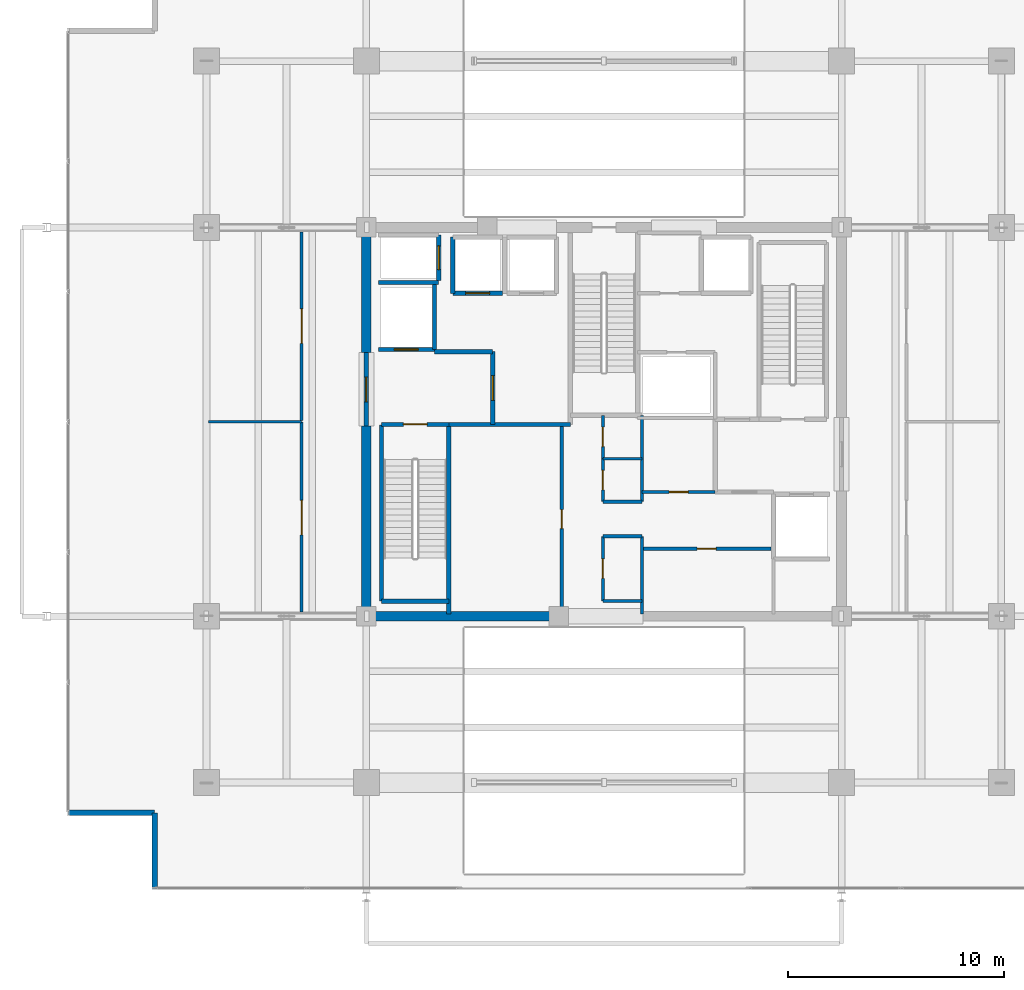
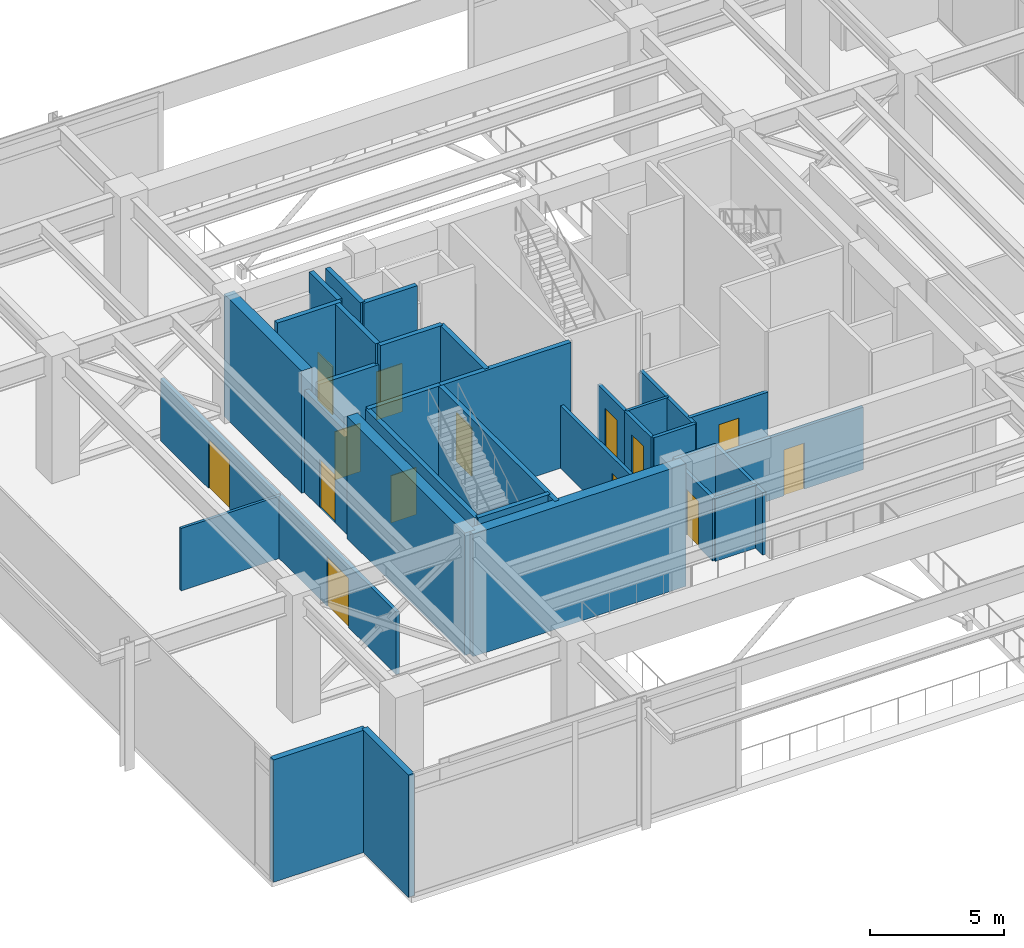
# One storey, part 22 of 26: 34 walls, 14 doors, 14 openings.
"""IFC4 building model written with IfcOpenShell, lengths in metres."""

from ifc_helpers import new_model, si_unit, direction, frame, frame_2d, origin, place, context, subcontext, project, spatial, rectangle, extrude, material, layer, layer_set, type_object, element, fill, save


model = new_model("IFC4")

# Units and contexts
model_context = context("Model", 3, precision=1e-05, world=origin(), true_north=direction((0.0, 1.0)))
body_context = subcontext(model_context, "Body", "Model", "MODEL_VIEW")
ifc_project = project(units=[si_unit("LENGTHUNIT", "METRE"), si_unit("AREAUNIT", "SQUARE_METRE"), si_unit("VOLUMEUNIT", "CUBIC_METRE"), si_unit("PLANEANGLEUNIT", "RADIAN"), si_unit("MASSUNIT", "GRAM", prefix="KILO")], contexts=[model_context])

# Site, building, storey
site_placement = place(None, origin())
site = spatial("IfcSite", under=ifc_project, at=site_placement, CompositionType="ELEMENT")
building_placement = place(site_placement, origin())
building = spatial("IfcBuilding", under=site, at=building_placement, Name="Kovane Verandah Tower", CompositionType="ELEMENT")
storey_placement = place(building_placement, frame((0.0, 0.0, 301.0)))
storey = spatial("IfcBuildingStorey", under=building, at=storey_placement, Name="L70", CompositionType="ELEMENT", Elevation=301.0)

# Walls
ifc_material_1 = material(Name="Fire-Rated Gypsum Stud Partition", Category="gypsum")
ifc_layer_1 = layer(ifc_material_1, 0.14990234375)
ifc_layer_set_1 = layer_set([ifc_layer_1], Name="Fire-Rated Gypsum Stud Partition")
wall_type_1 = type_object("IfcWallType", Name="WL-COR-150", PredefinedType="PARTITIONING", material=ifc_layer_set_1)
for number, where, z_axis, x_axis, name in (
    (1, (39.949951171875, 19.199951171875, 0.0), (0.0, 0.0, 1.0), (1.0, 0.0, 0.0), "L70 Central Core Strip South Wall"),
    (2, (39.949951171875, 22.199951171875, 0.0), (0.0, 0.0, 1.0), (1.0, 0.0, 0.0), "L70 Core Cross-Passage South Wall"),
    (3, (39.949951171875, 23.800048828125, 0.0), (0.0, 0.0, 1.0), (1.0, 0.0, 0.0), "L70 Core Cross-Passage North Wall"),
):
    element("IfcWall", number, at=place(storey_placement, frame(where, z_axis=z_axis, x_axis=x_axis)), inside=storey, type_object=wall_type_1, Name=name, PredefinedType="PARTITIONING", context=body_context, shape_type="SweptSolid", body=[
        extrude(rectangle(XDim=1.81005859375, YDim=0.14990234375, at=frame_2d((0.905029296875, 0.0))), origin(), (0.0, 0.0, 1.0), 2.85009765625),
    ])
wall_1_placement = place(storey_placement, frame((41.760009765625, 18.60009765625, 0.0), z_axis=(0.0, 0.0, 1.0), x_axis=(0.0, 1.0, 0.0)))
element("IfcWall", 4, at=wall_1_placement, inside=storey, type_object=wall_type_1, Name="L70 Central Core Strip Lower East Wall", PredefinedType="PARTITIONING", context=body_context, shape_type="SweptSolid", body=[
    extrude(rectangle(XDim=3.599853515625, YDim=0.14990234375, at=frame_2d((1.7998046875, 0.0))), origin(), (0.0, 0.0, 1.0), 2.85009765625),
])
wall_2_placement = place(storey_placement, frame((41.760009765625, 23.800048828125, 0.0), z_axis=(0.0, 0.0, 1.0), x_axis=(0.0, 1.0, 0.0)))
element("IfcWall", 5, at=wall_2_placement, inside=storey, type_object=wall_type_1, Name="L70 Central Core Strip Upper East Wall", PredefinedType="PARTITIONING", context=body_context, shape_type="SweptSolid", body=[
    extrude(rectangle(XDim=4.0, YDim=0.14990234375, at=frame_2d((2.0, 0.0))), origin(), (0.0, 0.0, 1.0), 2.85009765625),
])

# Wall, opening, door
wall_3_placement = place(storey_placement, frame((39.949951171875, 19.199951171875, 0.0), z_axis=(0.0, 0.0, 1.0), x_axis=(0.0, 1.0, 0.0)))
wall_3 = element("IfcWall", 6, at=wall_3_placement, inside=storey, type_object=wall_type_1, Name="L70 Male Toilet Partition", PredefinedType="PARTITIONING", context=body_context, shape_type="SweptSolid", body=[
    extrude(rectangle(XDim=3.0, YDim=0.14990234375, at=frame_2d((1.5, 0.0))), origin(), (0.0, 0.0, 1.0), 2.85009765625),
])
opening_1_placement = place(wall_3_placement, frame((1.050048828125, 0.0, 0.0)))
opening_1 = element("IfcOpeningElement", 7, at=opening_1_placement, cuts=wall_3, Name="Opening DR-L70-020", PredefinedType="OPENING", context=body_context, shape_type="SweptSolid", body=[
    extrude(rectangle(XDim=0.89990234375, YDim=2.10009765625, at=frame_2d((0.449951171875, 1.050048828125))), frame((0.0, 0.074951171875, 0.0), z_axis=(0.0, -1.0, 0.0), x_axis=(1.0, 0.0, 0.0)), (0.0, 0.0, 1.0), 0.14990234375),
])
ifc_material_2 = material(Name="Moisture-Resistant Laminate Washroom Door", Category="wood")
door_type_1 = type_object("IfcDoorType", Name="DR-WC-900", OperationType="SINGLE_SWING_LEFT", PredefinedType="DOOR", material=ifc_material_2)
door_1_placement = place(opening_1_placement, origin())
door_1 = element("IfcDoor", 8, at=door_1_placement, inside=storey, type_object=door_type_1, Name="L70 Male Toilet Door", OperationType="SINGLE_SWING_LEFT", OverallHeight=2.10009765625, OverallWidth=0.89990234375, PredefinedType="DOOR", context=body_context, shape_type="SweptSolid", body=[
    extrude(rectangle(XDim=0.89990234375, YDim=2.10009765625, at=frame_2d((0.449951171875, 1.050048828125))), frame((0.0, 0.02490234375, 0.0), z_axis=(0.0, -1.0, 0.0), x_axis=(1.0, 0.0, 0.0)), (0.0, 0.0, 1.0), 0.050048828125),
])
fill(opening_1, door_1)

wall_4_placement = place(storey_placement, frame((39.949951171875, 23.800048828125, 0.0), z_axis=(0.0, 0.0, 1.0), x_axis=(0.0, 1.0, 0.0)))
wall_4 = element("IfcWall", 9, at=wall_4_placement, inside=storey, type_object=wall_type_1, Name="L70 Female Toilet Partition", PredefinedType="PARTITIONING", context=body_context, shape_type="SweptSolid", body=[
    extrude(rectangle(XDim=2.0, YDim=0.14990234375, at=frame_2d((1.0, 0.0))), origin(), (0.0, 0.0, 1.0), 2.85009765625),
])
opening_2_placement = place(wall_4_placement, frame((0.550048828125, 0.0, 0.0)))
opening_2 = element("IfcOpeningElement", 10, at=opening_2_placement, cuts=wall_4, Name="Opening DR-L70-019", PredefinedType="OPENING", context=body_context, shape_type="SweptSolid", body=[
    extrude(rectangle(XDim=0.89990234375, YDim=2.10009765625, at=frame_2d((0.449951171875, 1.050048828125))), frame((0.0, 0.074951171875, 0.0), z_axis=(0.0, -1.0, 0.0), x_axis=(1.0, 0.0, 0.0)), (0.0, 0.0, 1.0), 0.14990234375),
])
door_2_placement = place(opening_2_placement, origin())
door_2 = element("IfcDoor", 11, at=door_2_placement, inside=storey, type_object=door_type_1, Name="L70 Female Toilet Door", OperationType="SINGLE_SWING_RIGHT", OverallHeight=2.10009765625, OverallWidth=0.89990234375, PredefinedType="DOOR", context=body_context, shape_type="SweptSolid", body=[
    extrude(rectangle(XDim=0.89990234375, YDim=2.10009765625, at=frame_2d((0.449951171875, 1.050048828125))), frame((0.0, 0.02490234375, 0.0), z_axis=(0.0, -1.0, 0.0), x_axis=(1.0, 0.0, 0.0)), (0.0, 0.0, 1.0), 0.050048828125),
])
fill(opening_2, door_2)

wall_5_placement = place(storey_placement, frame((39.949951171875, 25.800048828125, 0.0), z_axis=(0.0, 0.0, 1.0), x_axis=(0.0, 1.0, 0.0)))
wall_5 = element("IfcWall", 12, at=wall_5_placement, inside=storey, type_object=wall_type_1, Name="L70 Accessible Unisex Toilet Partition", PredefinedType="PARTITIONING", context=body_context, shape_type="SweptSolid", body=[
    extrude(rectangle(XDim=2.0, YDim=0.14990234375, at=frame_2d((1.0, 0.0))), origin(), (0.0, 0.0, 1.0), 2.85009765625),
])
opening_3_placement = place(wall_5_placement, frame((0.550048828125, 0.0, 0.0)))
opening_3 = element("IfcOpeningElement", 13, at=opening_3_placement, cuts=wall_5, Name="Opening DR-L70-018", PredefinedType="OPENING", context=body_context, shape_type="SweptSolid", body=[
    extrude(rectangle(XDim=0.89990234375, YDim=2.10009765625, at=frame_2d((0.449951171875, 1.050048828125))), frame((0.0, 0.074951171875, 0.0), z_axis=(0.0, -1.0, 0.0), x_axis=(1.0, 0.0, 0.0)), (0.0, 0.0, 1.0), 0.14990234375),
])
door_3_placement = place(opening_3_placement, origin())
door_3 = element("IfcDoor", 14, at=door_3_placement, inside=storey, type_object=door_type_1, Name="L70 Accessible Unisex Toilet Door", OperationType="SINGLE_SWING_LEFT", OverallHeight=2.10009765625, OverallWidth=0.89990234375, PredefinedType="DOOR", context=body_context, shape_type="SweptSolid", body=[
    extrude(rectangle(XDim=0.89990234375, YDim=2.10009765625, at=frame_2d((0.449951171875, 1.050048828125))), frame((0.0, 0.02490234375, 0.0), z_axis=(0.0, -1.0, 0.0), x_axis=(1.0, 0.0, 0.0)), (0.0, 0.0, 1.0), 0.050048828125),
])
fill(opening_3, door_3)

wall_6_placement = place(storey_placement, frame((38.050048828125, 18.60009765625, 0.0), z_axis=(0.0, 0.0, 1.0), x_axis=(0.0, 1.0, 0.0)))
wall_6 = element("IfcWall", 15, at=wall_6_placement, inside=storey, type_object=wall_type_1, Name="L70 Core Mechanical Fan Plant Room Partition", PredefinedType="PARTITIONING", context=body_context, shape_type="SweptSolid", body=[
    extrude(rectangle(XDim=8.77978515625, YDim=0.14990234375, at=frame_2d((4.389892578125, 0.0))), origin(), (0.0, 0.0, 1.0), 2.85009765625),
])
opening_4_placement = place(wall_6_placement, frame((3.949951171875, 0.0, 0.0)))
opening_4 = element("IfcOpeningElement", 16, at=opening_4_placement, cuts=wall_6, Name="Opening DR-L70-012", PredefinedType="OPENING", context=body_context, shape_type="SweptSolid", body=[
    extrude(rectangle(XDim=0.8798828125, YDim=2.10009765625, at=frame_2d((0.43994140625, 1.050048828125))), frame((0.0, 0.074951171875, 0.0), z_axis=(0.0, -1.0, 0.0), x_axis=(1.0, 0.0, 0.0)), (0.0, 0.0, 1.0), 0.14990234375),
])
ifc_material_3 = material(Name="Fire-Rated Steel Riser Access Door", Category="steel")
door_type_2 = type_object("IfcDoorType", Name="DR-RISER-880", OperationType="SINGLE_SWING_LEFT", PredefinedType="DOOR", material=ifc_material_3)
door_4_placement = place(opening_4_placement, origin())
door_4 = element("IfcDoor", 17, at=door_4_placement, inside=storey, type_object=door_type_2, Name="L70 Core Mechanical Fan Plant Room Door", OperationType="SINGLE_SWING_RIGHT", OverallHeight=2.10009765625, OverallWidth=0.8798828125, PredefinedType="DOOR", context=body_context, shape_type="SweptSolid", body=[
    extrude(rectangle(XDim=0.8798828125, YDim=2.10009765625, at=frame_2d((0.43994140625, 1.050048828125))), frame((0.0, 0.02490234375, 0.0), z_axis=(0.0, -1.0, 0.0), x_axis=(1.0, 0.0, 0.0)), (0.0, 0.0, 1.0), 0.050048828125),
])
fill(opening_4, door_4)

wall_7_placement = place(storey_placement, frame((41.760009765625, 21.6201171875, 0.0), z_axis=(0.0, 0.0, 1.0), x_axis=(1.0, 0.0, 0.0)))
wall_7 = element("IfcWall", 18, at=wall_7_placement, inside=storey, type_object=wall_type_1, Name="L70 Core Smoke Extract Fan Plant Room Partition", PredefinedType="PARTITIONING", context=body_context, shape_type="SweptSolid", body=[
    extrude(rectangle(XDim=5.97998046875, YDim=0.14990234375, at=frame_2d((2.989990234375, 0.0))), origin(), (0.0, 0.0, 1.0), 2.85009765625),
])
opening_5_placement = place(wall_7_placement, frame((2.550048828125, 0.0, 0.0)))
opening_5 = element("IfcOpeningElement", 19, at=opening_5_placement, cuts=wall_7, Name="Opening DR-L70-013", PredefinedType="OPENING", context=body_context, shape_type="SweptSolid", body=[
    extrude(rectangle(XDim=0.8798828125, YDim=2.10009765625, at=frame_2d((0.43994140625, 1.050048828125))), frame((0.0, 0.074951171875, 0.0), z_axis=(0.0, -1.0, 0.0), x_axis=(1.0, 0.0, 0.0)), (0.0, 0.0, 1.0), 0.14990234375),
])
door_5_placement = place(opening_5_placement, origin())
door_5 = element("IfcDoor", 20, at=door_5_placement, inside=storey, type_object=door_type_2, Name="L70 Core Smoke Extract Fan Plant Room Door", OperationType="SINGLE_SWING_LEFT", OverallHeight=2.10009765625, OverallWidth=0.8798828125, PredefinedType="DOOR", context=body_context, shape_type="SweptSolid", body=[
    extrude(rectangle(XDim=0.8798828125, YDim=2.10009765625, at=frame_2d((0.43994140625, 1.050048828125))), frame((0.0, 0.02490234375, 0.0), z_axis=(0.0, -1.0, 0.0), x_axis=(1.0, 0.0, 0.0)), (0.0, 0.0, 1.0), 0.050048828125),
])
fill(opening_5, door_5)

wall_8_placement = place(storey_placement, frame((41.760009765625, 24.25, 0.0), z_axis=(0.0, 0.0, 1.0), x_axis=(1.0, 0.0, 0.0)))
wall_8 = element("IfcWall", 21, at=wall_8_placement, inside=storey, type_object=wall_type_1, Name="L70 Cleaner Store Partition", PredefinedType="PARTITIONING", context=body_context, shape_type="SweptSolid", body=[
    extrude(rectangle(XDim=3.389892578125, YDim=0.14990234375, at=frame_2d((1.69482421875, 0.0))), origin(), (0.0, 0.0, 1.0), 2.85009765625),
])
opening_6_placement = place(wall_8_placement, frame((1.2548828125, 0.0, 0.0)))
opening_6 = element("IfcOpeningElement", 22, at=opening_6_placement, cuts=wall_8, Name="Opening DR-L70-014", PredefinedType="OPENING", context=body_context, shape_type="SweptSolid", body=[
    extrude(rectangle(XDim=0.8798828125, YDim=2.10009765625, at=frame_2d((0.43994140625, 1.050048828125))), frame((0.0, 0.074951171875, 0.0), z_axis=(0.0, -1.0, 0.0), x_axis=(1.0, 0.0, 0.0)), (0.0, 0.0, 1.0), 0.14990234375),
])
door_6_placement = place(opening_6_placement, origin())
door_6 = element("IfcDoor", 23, at=door_6_placement, inside=storey, type_object=door_type_2, Name="L70 Cleaner Store Door", OperationType="SINGLE_SWING_RIGHT", OverallHeight=2.10009765625, OverallWidth=0.8798828125, PredefinedType="DOOR", context=body_context, shape_type="SweptSolid", body=[
    extrude(rectangle(XDim=0.8798828125, YDim=2.10009765625, at=frame_2d((0.43994140625, 1.050048828125))), frame((0.0, 0.02490234375, 0.0), z_axis=(0.0, -1.0, 0.0), x_axis=(1.0, 0.0, 0.0)), (0.0, 0.0, 1.0), 0.050048828125),
])
fill(opening_6, door_6)

wall_9_placement = place(storey_placement, frame((26.0, 18.699951171875, 0.0), z_axis=(0.0, 0.0, 1.0), x_axis=(0.0, 1.0, 0.0)))
wall_9 = element("IfcWall", 24, at=wall_9_placement, inside=storey, type_object=wall_type_1, Name="L70 Wind-Portal Chiller Plant Room West Corridor Partition", PredefinedType="PARTITIONING", context=body_context, shape_type="SweptSolid", body=[
    extrude(rectangle(XDim=8.800048828125, YDim=0.14990234375, at=frame_2d((4.39990234375, 0.0))), origin(), (0.0, 0.0, 1.0), 2.85009765625),
])
opening_7_placement = place(wall_9_placement, frame((3.56494140625, 0.0, 0.0)))
opening_7 = element("IfcOpeningElement", 25, at=opening_7_placement, cuts=wall_9, Name="Opening DR-L70-017", PredefinedType="OPENING", context=body_context, shape_type="SweptSolid", body=[
    extrude(rectangle(XDim=1.60009765625, YDim=2.25, at=frame_2d((0.800048828125, 1.125))), frame((0.0, 0.074951171875, 0.0), z_axis=(0.0, -1.0, 0.0), x_axis=(1.0, 0.0, 0.0)), (0.0, 0.0, 1.0), 0.14990234375),
])
ifc_material_4 = material(Name="Louvred Acoustic Steel Double Plant Door", Category="steel")
door_type_3 = type_object("IfcDoorType", Name="DR-PLANT-1600", OperationType="DOUBLE_DOOR_SINGLE_SWING", PredefinedType="DOOR", material=ifc_material_4)
door_7_placement = place(opening_7_placement, origin())
door_7 = element("IfcDoor", 26, at=door_7_placement, inside=storey, type_object=door_type_3, Name="L70 Wind-Portal Chiller Plant Room West Entrance Door", OperationType="DOUBLE_DOOR_SINGLE_SWING", OverallHeight=2.25, OverallWidth=1.60009765625, PredefinedType="DOOR", context=body_context, shape_type="SweptSolid", body=[
    extrude(rectangle(XDim=1.60009765625, YDim=2.25, at=frame_2d((0.800048828125, 1.125))), frame((0.0, 0.02490234375, 0.0), z_axis=(0.0, -1.0, 0.0), x_axis=(1.0, 0.0, 0.0)), (0.0, 0.0, 1.0), 0.050048828125),
])
fill(opening_7, door_7)

wall_10_placement = place(storey_placement, frame((26.0, 27.570068359375, 0.0), z_axis=(0.0, 0.0, 1.0), x_axis=(0.0, 1.0, 0.0)))
wall_10 = element("IfcWall", 27, at=wall_10_placement, inside=storey, type_object=wall_type_1, Name="L70 Mechanical AHU Plant Room West Corridor Partition", PredefinedType="PARTITIONING", context=body_context, shape_type="SweptSolid", body=[
    extrude(rectangle(XDim=8.72998046875, YDim=0.14990234375, at=frame_2d((4.364990234375, 0.0))), origin(), (0.0, 0.0, 1.0), 2.85009765625),
])
opening_8_placement = place(wall_10_placement, frame((3.56494140625, 0.0, 0.0)))
opening_8 = element("IfcOpeningElement", 28, at=opening_8_placement, cuts=wall_10, Name="Opening DR-L70-010", PredefinedType="OPENING", context=body_context, shape_type="SweptSolid", body=[
    extrude(rectangle(XDim=1.60009765625, YDim=2.25, at=frame_2d((0.800048828125, 1.125))), frame((0.0, 0.074951171875, 0.0), z_axis=(0.0, -1.0, 0.0), x_axis=(1.0, 0.0, 0.0)), (0.0, 0.0, 1.0), 0.14990234375),
])
door_8_placement = place(opening_8_placement, origin())
door_8 = element("IfcDoor", 29, at=door_8_placement, inside=storey, type_object=door_type_3, Name="L70 Mechanical AHU Plant Room West Entrance Door", OperationType="DOUBLE_DOOR_SINGLE_SWING", OverallHeight=2.25, OverallWidth=1.60009765625, PredefinedType="DOOR", context=body_context, shape_type="SweptSolid", body=[
    extrude(rectangle(XDim=1.60009765625, YDim=2.25, at=frame_2d((0.800048828125, 1.125))), frame((0.0, 0.02490234375, 0.0), z_axis=(0.0, -1.0, 0.0), x_axis=(1.0, 0.0, 0.0)), (0.0, 0.0, 1.0), 0.050048828125),
])
fill(opening_8, door_8)

# Walls
ifc_material_5 = material(Name="Concrete C60/75", Category="concrete")
ifc_layer_2 = layer(ifc_material_5, 0.449951171875)
ifc_layer_set_2 = layer_set([ifc_layer_2], Name="Concrete C60/75")
wall_type_2 = type_object("IfcWallType", Name="WL-CORE-450", PredefinedType="SHEAR", material=ifc_layer_set_2)
wall_11_placement = place(storey_placement, frame((29.0, 18.5, 0.0), z_axis=(0.0, 0.0, 1.0), x_axis=(1.0, 0.0, 0.0)))
element("IfcWall", 30, at=wall_11_placement, inside=storey, type_object=wall_type_2, Name="L70 Core Shear Wall CS-1", PredefinedType="SHEAR", context=body_context, shape_type="SweptSolid", body=[
    extrude(rectangle(XDim=9.199951171875, YDim=0.449951171875, at=frame_2d((4.60009765625, 0.0))), origin(), (0.0, 0.0, 1.0), 5.5849609375),
])
wall_12_placement = place(storey_placement, frame((29.0, 18.5, 0.0), z_axis=(0.0, 0.0, 1.0), x_axis=(0.0, 1.0, 0.0)))
element("IfcWall", 31, at=wall_12_placement, inside=storey, type_object=wall_type_2, Name="L70 Core Shear Wall CW-1", PredefinedType="SHEAR", context=body_context, shape_type="SweptSolid", body=[
    extrude(rectangle(XDim=8.800048828125, YDim=0.449951171875, at=frame_2d((4.39990234375, 0.0))), origin(), (0.0, 0.0, 1.0), 5.5849609375),
])
wall_13_placement = place(storey_placement, frame((29.0, 30.699951171875, 0.0), z_axis=(0.0, 0.0, 1.0), x_axis=(0.0, 1.0, 0.0)))
element("IfcWall", 32, at=wall_13_placement, inside=storey, type_object=wall_type_2, Name="L70 Core Shear Wall CW-2", PredefinedType="SHEAR", context=body_context, shape_type="SweptSolid", body=[
    extrude(rectangle(XDim=5.800048828125, YDim=0.449951171875, at=frame_2d((2.89990234375, 0.0))), origin(), (0.0, 0.0, 1.0), 5.5849609375),
])

# Wall, opening, door
ifc_material_6 = material(Name="Concrete C45/55 Fire Wall", Category="concrete")
ifc_layer_3 = layer(ifc_material_6, 0.199951171875)
ifc_layer_set_3 = layer_set([ifc_layer_3], Name="Concrete C45/55 Fire Wall")
wall_type_3 = type_object("IfcWallType", Name="WL-FFL-200", PredefinedType="PARTITIONING", material=ifc_layer_set_3)
wall_14_placement = place(storey_placement, frame((34.85009765625, 27.3798828125, 0.0), z_axis=(0.0, 0.0, 1.0), x_axis=(0.0, 1.0, 0.0)))
wall_14 = element("IfcWall", 33, at=wall_14_placement, inside=storey, type_object=wall_type_3, Name="W-L70-FFLW-E", PredefinedType="PARTITIONING", context=body_context, shape_type="SweptSolid", body=[
    extrude(rectangle(XDim=3.3701171875, YDim=0.199951171875, at=frame_2d((1.68505859375, 0.0))), origin(), (0.0, 0.0, 1.0), 5.5849609375),
])
opening_9_placement = place(wall_14_placement, frame((1.110107421875, 0.0, 0.0)))
opening_9 = element("IfcOpeningElement", 34, at=opening_9_placement, cuts=wall_14, Name="Opening DR-L70-004", PredefinedType="OPENING", context=body_context, shape_type="SweptSolid", body=[
    extrude(rectangle(XDim=1.14990234375, YDim=2.199951171875, at=frame_2d((0.574951171875, 1.10009765625))), frame((0.0, 0.10009765625, 0.0), z_axis=(0.0, -1.0, 0.0), x_axis=(1.0, 0.0, 0.0)), (0.0, 0.0, 1.0), 0.199951171875),
])
ifc_material_7 = material(Name="Smoke-Sealed Firefighting Lobby Door", Category="steel")
door_type_4 = type_object("IfcDoorType", Name="DR-FFL-1150", OperationType="SINGLE_SWING_LEFT", PredefinedType="DOOR", material=ifc_material_7)
door_9_placement = place(opening_9_placement, origin())
door_9 = element("IfcDoor", 35, at=door_9_placement, inside=storey, type_object=door_type_4, Name="L70 West Firefighting Lobby Inner Door", OperationType="SINGLE_SWING_LEFT", OverallHeight=2.199951171875, OverallWidth=1.14990234375, PredefinedType="DOOR", context=body_context, shape_type="SweptSolid", body=[
    extrude(rectangle(XDim=1.14990234375, YDim=2.199951171875, at=frame_2d((0.574951171875, 1.10009765625))), frame((0.0, 0.02490234375, 0.0), z_axis=(0.0, -1.0, 0.0), x_axis=(1.0, 0.0, 0.0)), (0.0, 0.0, 1.0), 0.050048828125),
])
fill(opening_9, door_9)

wall_15_placement = place(storey_placement, frame((29.0, 27.300048828125, 0.0), z_axis=(0.0, 0.0, 1.0), x_axis=(0.0, 1.0, 0.0)))
wall_15 = element("IfcWall", 36, at=wall_15_placement, inside=storey, type_object=wall_type_3, Name="W-L70-FFLW-OUT", PredefinedType="PARTITIONING", context=body_context, shape_type="SweptSolid", body=[
    extrude(rectangle(XDim=3.39990234375, YDim=0.199951171875, at=frame_2d((1.699951171875, 0.0))), origin(), (0.0, 0.0, 1.0), 4.6650390625),
])
opening_10_placement = place(wall_15_placement, frame((1.125, 0.0, 0.0)))
opening_10 = element("IfcOpeningElement", 37, at=opening_10_placement, cuts=wall_15, Name="Opening DR-L70-005", PredefinedType="OPENING", context=body_context, shape_type="SweptSolid", body=[
    extrude(rectangle(XDim=1.14990234375, YDim=2.199951171875, at=frame_2d((0.574951171875, 1.10009765625))), frame((0.0, 0.10009765625, 0.0), z_axis=(0.0, -1.0, 0.0), x_axis=(1.0, 0.0, 0.0)), (0.0, 0.0, 1.0), 0.199951171875),
])
door_10_placement = place(opening_10_placement, origin())
door_10 = element("IfcDoor", 38, at=door_10_placement, inside=storey, type_object=door_type_4, Name="L70 West Firefighting Lobby Corridor Door", OperationType="SINGLE_SWING_RIGHT", OverallHeight=2.199951171875, OverallWidth=1.14990234375, PredefinedType="DOOR", context=body_context, shape_type="SweptSolid", body=[
    extrude(rectangle(XDim=1.14990234375, YDim=2.199951171875, at=frame_2d((0.574951171875, 1.10009765625))), frame((0.0, 0.02490234375, 0.0), z_axis=(0.0, -1.0, 0.0), x_axis=(1.0, 0.0, 0.0)), (0.0, 0.0, 1.0), 0.050048828125),
])
fill(opening_10, door_10)

# Walls
wall_16_placement = place(storey_placement, frame((32.820068359375, 27.3798828125, 0.0), z_axis=(0.0, 0.0, 1.0), x_axis=(1.0, 0.0, 0.0)))
element("IfcWall", 39, at=wall_16_placement, inside=storey, type_object=wall_type_3, Name="L70 West Firefighting Lobby South Fire Wall", PredefinedType="PARTITIONING", context=body_context, shape_type="SweptSolid", body=[
    extrude(rectangle(XDim=5.619873046875, YDim=0.199951171875, at=frame_2d((2.81005859375, 0.0))), origin(), (0.0, 0.0, 1.0), 5.5849609375),
])
wall_17_placement = place(storey_placement, frame((32.14990234375, 30.75, 0.0), z_axis=(0.0, 0.0, 1.0), x_axis=(1.0, 0.0, 0.0)))
element("IfcWall", 40, at=wall_17_placement, inside=storey, type_object=wall_type_3, Name="L70 West Firefighting Lobby North Fire Wall", PredefinedType="PARTITIONING", context=body_context, shape_type="SweptSolid", body=[
    extrude(rectangle(XDim=2.7001953125, YDim=0.199951171875, at=frame_2d((1.35009765625, 0.0))), origin(), (0.0, 0.0, 1.0), 5.5849609375),
])

# Wall, opening, door
ifc_material_8 = material(Name="Concrete C45/55 Lift Shaft Wall", Category="concrete")
ifc_layer_4 = layer(ifc_material_8, 0.199951171875)
ifc_layer_set_4 = layer_set([ifc_layer_4], Name="Concrete C45/55 Lift Shaft Wall")
wall_type_4 = type_object("IfcWallType", Name="WL-LIFT-200", PredefinedType="SOLIDWALL", material=ifc_layer_set_4)
wall_18_placement = place(storey_placement, frame((29.550048828125, 30.85009765625, 0.0), z_axis=(0.0, 0.0, 1.0), x_axis=(1.0, 0.0, 0.0)))
wall_18 = element("IfcWall", 41, at=wall_18_placement, inside=storey, type_object=wall_type_4, Name="L70 Lift FL-01 S Shaft Wall", PredefinedType="SOLIDWALL", context=body_context, shape_type="SweptSolid", body=[
    extrude(rectangle(XDim=2.599853515625, YDim=0.199951171875, at=frame_2d((1.2998046875, 0.0))), origin(), (0.0, 0.0, 1.0), 4.6650390625),
])
opening_11_placement = place(wall_18_placement, frame((0.75, 0.0, 0.0)))
opening_11 = element("IfcOpeningElement", 42, at=opening_11_placement, cuts=wall_18, Name="Opening LD-L70-001", PredefinedType="OPENING", context=body_context, shape_type="SweptSolid", body=[
    extrude(rectangle(XDim=1.10009765625, YDim=2.199951171875, at=frame_2d((0.550048828125, 1.10009765625))), frame((0.0, 0.10009765625, 0.0), z_axis=(0.0, -1.0, 0.0), x_axis=(1.0, 0.0, 0.0)), (0.0, 0.0, 1.0), 0.199951171875),
])
ifc_material_9 = material(Name="Brushed Stainless Steel Sliding Lift Landing Door", Category="steel")
door_type_5 = type_object("IfcDoorType", Name="DR-LIFT-1100", OperationType="SLIDING_TO_RIGHT", PredefinedType="DOOR", material=ifc_material_9)
door_11_placement = place(opening_11_placement, origin())
door_11 = element("IfcDoor", 43, at=door_11_placement, inside=storey, type_object=door_type_5, Name="L70 Lift FL-01 Sliding Landing Door", OperationType="SLIDING_TO_RIGHT", OverallHeight=2.199951171875, OverallWidth=1.10009765625, PredefinedType="DOOR", context=body_context, shape_type="SweptSolid", body=[
    extrude(rectangle(XDim=1.10009765625, YDim=2.199951171875, at=frame_2d((0.550048828125, 1.10009765625))), frame((0.0, 0.02490234375, 0.0), z_axis=(0.0, -1.0, 0.0), x_axis=(1.0, 0.0, 0.0)), (0.0, 0.0, 1.0), 0.050048828125),
])
fill(opening_11, door_11)

# Walls
wall_19_placement = place(storey_placement, frame((29.550048828125, 33.949951171875, 0.0), z_axis=(0.0, 0.0, 1.0), x_axis=(1.0, 0.0, 0.0)))
element("IfcWall", 44, at=wall_19_placement, inside=storey, type_object=wall_type_4, Name="L70 Lift FL-01 and GL-01 Shared Shaft Wall", PredefinedType="SOLIDWALL", context=body_context, shape_type="SweptSolid", body=[
    extrude(rectangle(XDim=2.800048828125, YDim=0.199951171875, at=frame_2d((1.39990234375, 0.0))), origin(), (0.0, 0.0, 1.0), 5.5849609375),
])
wall_20_placement = place(storey_placement, frame((32.14990234375, 30.85009765625, 0.0), z_axis=(0.0, 0.0, 1.0), x_axis=(0.0, 1.0, 0.0)))
element("IfcWall", 45, at=wall_20_placement, inside=storey, type_object=wall_type_4, Name="L70 Lift FL-01 E Shaft Wall", PredefinedType="SOLIDWALL", context=body_context, shape_type="SweptSolid", body=[
    extrude(rectangle(XDim=3.0, YDim=0.199951171875, at=frame_2d((1.5, 0.0))), origin(), (0.0, 0.0, 1.0), 5.5849609375),
])

# Wall, opening, door
wall_21_placement = place(storey_placement, frame((32.35009765625, 34.050048828125, 0.0), z_axis=(0.0, 0.0, 1.0), x_axis=(0.0, 1.0, 0.0)))
wall_21 = element("IfcWall", 46, at=wall_21_placement, inside=storey, type_object=wall_type_4, Name="L70 Lift GL-01 E Shaft Wall", PredefinedType="SOLIDWALL", context=body_context, shape_type="SweptSolid", body=[
    extrude(rectangle(XDim=2.099853515625, YDim=0.199951171875, at=frame_2d((1.0498046875, 0.0))), origin(), (0.0, 0.0, 1.0), 5.5849609375),
])
opening_12_placement = place(wall_21_placement, frame((0.5, 0.0, 0.0)))
opening_12 = element("IfcOpeningElement", 47, at=opening_12_placement, cuts=wall_21, Name="Opening LD-L70-003", PredefinedType="OPENING", context=body_context, shape_type="SweptSolid", body=[
    extrude(rectangle(XDim=1.10009765625, YDim=2.199951171875, at=frame_2d((0.550048828125, 1.10009765625))), frame((0.0, 0.10009765625, 0.0), z_axis=(0.0, -1.0, 0.0), x_axis=(1.0, 0.0, 0.0)), (0.0, 0.0, 1.0), 0.199951171875),
])
door_12_placement = place(opening_12_placement, origin())
door_12 = element("IfcDoor", 48, at=door_12_placement, inside=storey, type_object=door_type_5, Name="L70 Lift GL-01 Sliding Landing Door", OperationType="SLIDING_TO_RIGHT", OverallHeight=2.199951171875, OverallWidth=1.10009765625, PredefinedType="DOOR", context=body_context, shape_type="SweptSolid", body=[
    extrude(rectangle(XDim=1.10009765625, YDim=2.199951171875, at=frame_2d((0.550048828125, 1.10009765625))), frame((0.0, 0.02490234375, 0.0), z_axis=(0.0, -1.0, 0.0), x_axis=(1.0, 0.0, 0.0)), (0.0, 0.0, 1.0), 0.050048828125),
])
fill(opening_12, door_12)

wall_22_placement = place(storey_placement, frame((33.0, 33.449951171875, 0.0), z_axis=(0.0, 0.0, 1.0), x_axis=(1.0, 0.0, 0.0)))
wall_22 = element("IfcWall", 49, at=wall_22_placement, inside=storey, type_object=wall_type_4, Name="L70 Lift PL-H1 S Shaft Wall", PredefinedType="SOLIDWALL", context=body_context, shape_type="SweptSolid", body=[
    extrude(rectangle(XDim=2.300048828125, YDim=0.199951171875, at=frame_2d((1.14990234375, 0.0))), origin(), (0.0, 0.0, 1.0), 5.5849609375),
])
opening_13_placement = place(wall_22_placement, frame((0.60009765625, 0.0, 0.0)))
opening_13 = element("IfcOpeningElement", 50, at=opening_13_placement, cuts=wall_22, Name="Opening LD-L70-004", PredefinedType="OPENING", context=body_context, shape_type="SweptSolid", body=[
    extrude(rectangle(XDim=1.10009765625, YDim=2.199951171875, at=frame_2d((0.550048828125, 1.10009765625))), frame((0.0, 0.10009765625, 0.0), z_axis=(0.0, -1.0, 0.0), x_axis=(1.0, 0.0, 0.0)), (0.0, 0.0, 1.0), 0.199951171875),
])
door_13_placement = place(opening_13_placement, origin())
door_13 = element("IfcDoor", 51, at=door_13_placement, inside=storey, type_object=door_type_5, Name="L70 Lift PL-H1 Sliding Landing Door", OperationType="SLIDING_TO_RIGHT", OverallHeight=2.199951171875, OverallWidth=1.10009765625, PredefinedType="DOOR", context=body_context, shape_type="SweptSolid", body=[
    extrude(rectangle(XDim=1.10009765625, YDim=2.199951171875, at=frame_2d((0.550048828125, 1.10009765625))), frame((0.0, 0.02490234375, 0.0), z_axis=(0.0, -1.0, 0.0), x_axis=(1.0, 0.0, 0.0)), (0.0, 0.0, 1.0), 0.050048828125),
])
fill(opening_13, door_13)

# Walls
wall_23_placement = place(storey_placement, frame((33.0, 36.050048828125, 0.0), z_axis=(0.0, 0.0, 1.0), x_axis=(0.0, -1.0, 0.0)))
element("IfcWall", 52, at=wall_23_placement, inside=storey, type_object=wall_type_4, Name="L70 Lift PL-H1 W Shaft Wall", PredefinedType="SOLIDWALL", context=body_context, shape_type="SweptSolid", body=[
    extrude(rectangle(XDim=2.60009765625, YDim=0.199951171875, at=frame_2d((1.300048828125, 0.0))), origin(), (0.0, 0.0, 1.0), 5.5849609375),
])
ifc_material_10 = material(Name="Acoustic Fire-Rated Gypsum Partition", Category="gypsum")
ifc_layer_5 = layer(ifc_material_10, 0.1201171875)
ifc_layer_set_5 = layer_set([ifc_layer_5], Name="Acoustic Fire-Rated Gypsum Partition")
wall_type_5 = type_object("IfcWallType", Name="WL-PART-120", PredefinedType="PARTITIONING", material=ifc_layer_set_5)
wall_24_placement = place(storey_placement, frame((39.949951171875, 25.800048828125, 0.0), z_axis=(0.0, 0.0, 1.0), x_axis=(1.0, 0.0, 0.0)))
element("IfcWall", 53, at=wall_24_placement, inside=storey, type_object=wall_type_5, Name="L70 Central Core Strip Upper Dividing Partition", PredefinedType="PARTITIONING", context=body_context, shape_type="SweptSolid", body=[
    extrude(rectangle(XDim=1.81005859375, YDim=0.1201171875, at=frame_2d((0.905029296875, 0.0))), origin(), (0.0, 0.0, 1.0), 2.85009765625),
])
wall_25_placement = place(storey_placement, frame((21.699951171875, 27.5, 0.0), z_axis=(0.0, 0.0, 1.0), x_axis=(1.0, 0.0, 0.0)))
element("IfcWall", 54, at=wall_25_placement, inside=storey, type_object=wall_type_5, Name="L70 Wind-Portal Chiller Plant Room West Dividing Partition", PredefinedType="PARTITIONING", context=body_context, shape_type="SweptSolid", body=[
    extrude(rectangle(XDim=4.300048828125, YDim=0.1201171875, at=frame_2d((2.14990234375, 0.0))), origin(), (0.0, 0.0, 1.0), 2.85009765625),
])
ifc_material_11 = material(Name="Concrete C45/55", Category="concrete")
ifc_layer_6 = layer(ifc_material_11, 0.199951171875)
ifc_layer_set_6 = layer_set([ifc_layer_6], Name="Concrete C45/55")
wall_type_6 = type_object("IfcWallType", Name="WL-SHAFT-200", PredefinedType="SOLIDWALL", material=ifc_layer_set_6)
wall_26_placement = place(storey_placement, frame((29.699951171875, 19.199951171875, 0.0), z_axis=(0.0, 0.0, 1.0), x_axis=(0.0, 1.0, 0.0)))
element("IfcWall", 55, at=wall_26_placement, inside=storey, type_object=wall_type_6, Name="W-L70-ST01-W", PredefinedType="SOLIDWALL", context=body_context, shape_type="SweptSolid", body=[
    extrude(rectangle(XDim=8.150146484375, YDim=0.199951171875, at=frame_2d((4.0751953125, 0.0))), origin(), (0.0, 0.0, 1.0), 5.5849609375),
])
wall_27_placement = place(storey_placement, frame((29.699951171875, 19.199951171875, 0.0), z_axis=(0.0, 0.0, 1.0), x_axis=(1.0, 0.0, 0.0)))
element("IfcWall", 56, at=wall_27_placement, inside=storey, type_object=wall_type_6, Name="W-L70-ST01-S", PredefinedType="SOLIDWALL", context=body_context, shape_type="SweptSolid", body=[
    extrude(rectangle(XDim=3.1201171875, YDim=0.199951171875, at=frame_2d((1.56005859375, 0.0))), origin(), (0.0, 0.0, 1.0), 5.5849609375),
])
wall_28_placement = place(storey_placement, frame((32.820068359375, 18.60009765625, 0.0), z_axis=(0.0, 0.0, 1.0), x_axis=(0.0, 1.0, 0.0)))
element("IfcWall", 57, at=wall_28_placement, inside=storey, type_object=wall_type_6, Name="W-L70-ST01-E", PredefinedType="SOLIDWALL", context=body_context, shape_type="SweptSolid", body=[
    extrude(rectangle(XDim=8.77978515625, YDim=0.199951171875, at=frame_2d((4.389892578125, 0.0))), origin(), (0.0, 0.0, 1.0), 5.5849609375),
])

# Wall, opening, door
wall_29_placement = place(storey_placement, frame((29.699951171875, 27.3798828125, 0.0), z_axis=(0.0, 0.0, 1.0), x_axis=(1.0, 0.0, 0.0)))
wall_29 = element("IfcWall", 58, at=wall_29_placement, inside=storey, type_object=wall_type_6, Name="W-L70-ST01-N", PredefinedType="SOLIDWALL", context=body_context, shape_type="SweptSolid", body=[
    extrude(rectangle(XDim=3.1201171875, YDim=0.199951171875, at=frame_2d((1.56005859375, 0.0))), origin(), (0.0, 0.0, 1.0), 5.5849609375),
])
opening_14_placement = place(wall_29_placement, frame((1.010009765625, 0.0, 0.0)))
opening_14 = element("IfcOpeningElement", 59, at=opening_14_placement, cuts=wall_29, Name="Opening DR-L70-006", PredefinedType="OPENING", context=body_context, shape_type="SweptSolid", body=[
    extrude(rectangle(XDim=1.10009765625, YDim=2.14990234375, at=frame_2d((0.550048828125, 1.074951171875))), frame((0.0, 0.10009765625, 0.0), z_axis=(0.0, -1.0, 0.0), x_axis=(1.0, 0.0, 0.0)), (0.0, 0.0, 1.0), 0.199951171875),
])
ifc_material_12 = material(Name="Fire-Rated Steel Exit Door", Category="steel")
door_type_6 = type_object("IfcDoorType", Name="DR-STAIR-1100", OperationType="SINGLE_SWING_LEFT", PredefinedType="DOOR", material=ifc_material_12)
door_14_placement = place(opening_14_placement, origin())
door_14 = element("IfcDoor", 60, at=door_14_placement, inside=storey, type_object=door_type_6, Name="L70 ST-01 Fire Exit Stair Door", OperationType="SINGLE_SWING_RIGHT", OverallHeight=2.14990234375, OverallWidth=1.10009765625, PredefinedType="DOOR", context=body_context, shape_type="SweptSolid", body=[
    extrude(rectangle(XDim=1.10009765625, YDim=2.14990234375, at=frame_2d((0.550048828125, 1.074951171875))), frame((0.0, 0.02490234375, 0.0), z_axis=(0.0, -1.0, 0.0), x_axis=(1.0, 0.0, 0.0)), (0.0, 0.0, 1.0), 0.050048828125),
])
fill(opening_14, door_14)

# Walls
ifc_material_13 = material(Name="Concrete C45/55 Insulated Spandrel Wall", Category="concrete")
ifc_layer_7 = layer(ifc_material_13, 0.260009765625)
ifc_layer_set_7 = layer_set([ifc_layer_7], Name="Concrete C45/55 Insulated Spandrel Wall")
wall_type_7 = type_object("IfcWallType", Name="WL-SPANDREL-260", PredefinedType="PARAPET", material=ifc_layer_set_7)
wall_30_placement = place(storey_placement, frame((15.199951171875, 9.39990234375, 0.0), z_axis=(0.0, 0.0, 1.0), x_axis=(1.0, 0.0, 0.0)))
element("IfcWall", 61, at=wall_30_placement, inside=storey, type_object=wall_type_7, Name="L70 SW Notch Cheek Wall 1", PredefinedType="PARAPET", context=body_context, shape_type="SweptSolid", body=[
    extrude(rectangle(XDim=4.0, YDim=0.260009765625, at=frame_2d((2.0, 0.0))), origin(), (0.0, 0.0, 1.0), 5.5849609375),
])
wall_31_placement = place(storey_placement, frame((19.199951171875, 9.39990234375, 0.0), z_axis=(0.0, 0.0, 1.0), x_axis=(0.0, -1.0, 0.0)))
element("IfcWall", 62, at=wall_31_placement, inside=storey, type_object=wall_type_7, Name="L70 SW Notch Cheek Wall 2", PredefinedType="PARAPET", context=body_context, shape_type="SweptSolid", body=[
    extrude(rectangle(XDim=3.5, YDim=0.260009765625, at=frame_2d((1.75, 0.0))), origin(), (0.0, 0.0, 1.0), 5.5849609375),
])

save(model, "model.ifc")
